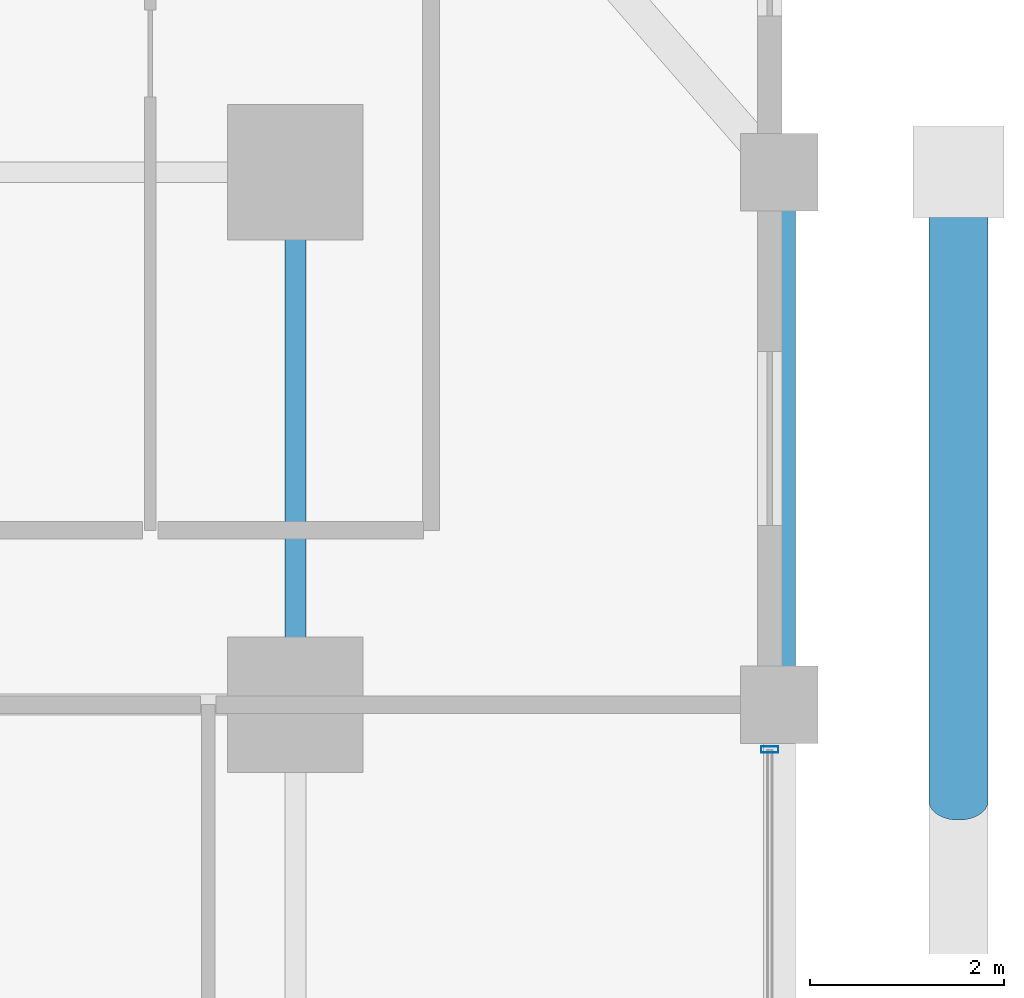
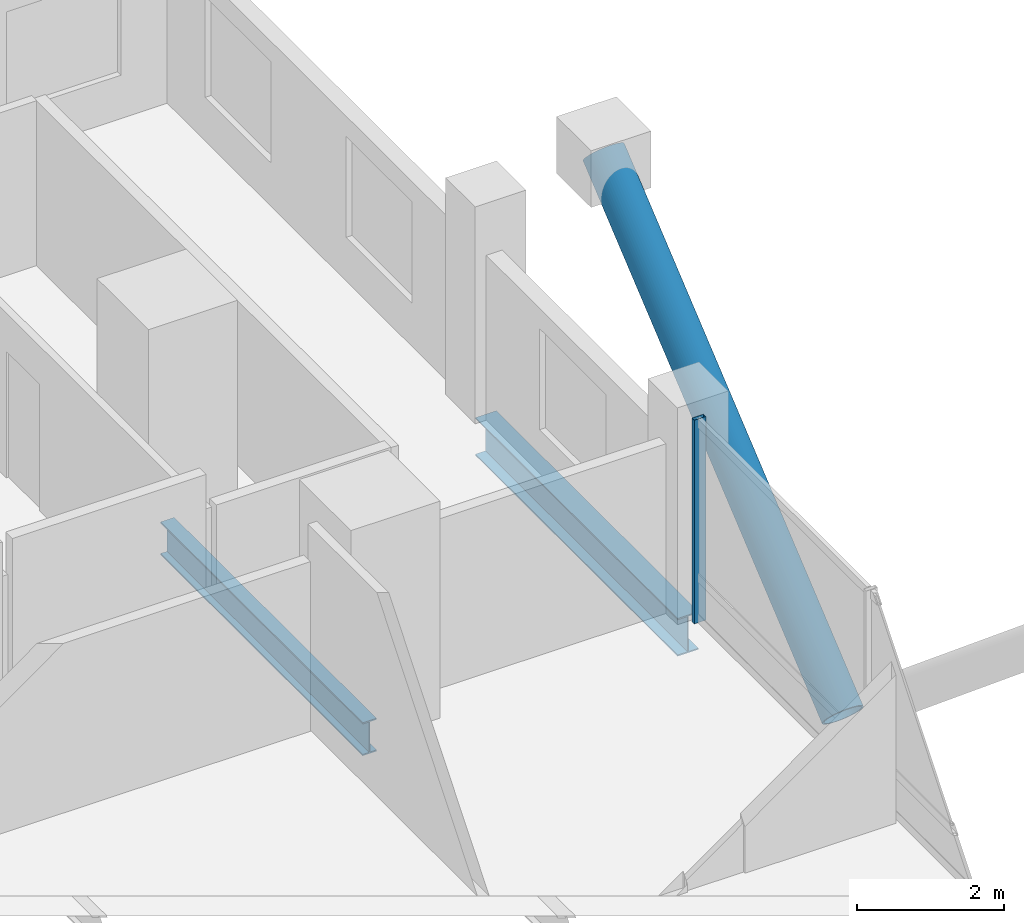
# One storey, part 15 of 24: 2 beams, 2 members, 1 element without a shape of its own.
"""IFC4 building model written with IfcOpenShell, lengths in metres."""

from ifc_helpers import new_model, si_unit, direction, frame, origin, origin_2d, place, context, subcontext, project, spatial, hollow_rectangle, hollow_circle, i_section, extrude, material, layer, layer_set, material_profile, profile_set, type_object, element, aggregate, save


model = new_model("IFC4")

# Units and contexts
model_context = context("Model", 3, precision=1e-05, world=origin(), true_north=direction((0.0, 1.0)))
body_context = subcontext(model_context, "Body", "Model", "MODEL_VIEW")
ifc_project = project(units=[si_unit("LENGTHUNIT", "METRE"), si_unit("AREAUNIT", "SQUARE_METRE"), si_unit("VOLUMEUNIT", "CUBIC_METRE"), si_unit("PLANEANGLEUNIT", "RADIAN"), si_unit("MASSUNIT", "GRAM", prefix="KILO")], contexts=[model_context])

# Site, building, storey
site_placement = place(None, origin())
site = spatial("IfcSite", under=ifc_project, at=site_placement, CompositionType="ELEMENT")
building_placement = place(site_placement, origin())
building = spatial("IfcBuilding", under=site, at=building_placement, Name="Barlavira Tower and Art Museum", CompositionType="ELEMENT")
storey_placement = place(building_placement, frame((0.0, 0.0, 46.800048828125)))
storey = spatial("IfcBuildingStorey", under=building, at=storey_placement, Name="L10", CompositionType="ELEMENT", Elevation=46.800048828125)

# Curtain wall, member
ifc_material_1 = material(Name="Low-iron coastal laminated glass", Category="glass")
ifc_layer = layer(ifc_material_1, 0.179931640625, Name="Low-iron coastal laminated glass")
ifc_layer_set = layer_set([ifc_layer], Name="Low-iron coastal laminated glass")
curtain_wall_type = type_object("IfcCurtainWallType", Name="Pale-Metal Unitised Curtain Wall Zone 1", PredefinedType="NOTDEFINED", material=ifc_layer_set)
curtain_wall_placement = place(storey_placement, origin())
curtain_wall = element("IfcCurtainWall", 1, at=curtain_wall_placement, inside=storey, type_object=curtain_wall_type, Name="L10 Curtain Wall CW1-L10-E-B3", PredefinedType="NOTDEFINED")
ifc_material_2 = material(Name="Pale anodised aluminium", Category="aluminium")
ifc_material_profile_1 = material_profile(ifc_material_2, hollow_rectangle(XDim=0.06494140625, YDim=0.179931640625, WallThickness=0.00390625, at=origin_2d()), Name="ALU-MULL 65x180x4")
ifc_profile_set_1 = profile_set([ifc_material_profile_1], Name="Pale anodised aluminium")
member_type_1 = type_object("IfcMemberType", Name="Curtain Wall Pale-Metal Mullion 65x180", PredefinedType="MULLION", material=ifc_profile_set_1)
member_1_placement = place(storey_placement, frame((21.89990234375, 7.034912109375, 0.0), z_axis=(0.0, 0.0, 1.0), x_axis=(0.0, 1.0, 0.0)))
member_1 = element("IfcMember", 2, at=member_1_placement, type_object=member_type_1, Name="CW1-L10-E-B3 Mullion 3", PredefinedType="MULLION", context=body_context, shape_type="SweptSolid", body=[
    extrude(hollow_rectangle(XDim=0.06494140625, YDim=0.179931640625, WallThickness=0.00390625, at=origin_2d()), origin(), (0.0, 0.0, 1.0), 3.3798828125),
])
aggregate(curtain_wall, [member_1])

# Member
ifc_material_3 = material(Name="Steel S355", Category="steel")
ifc_material_profile_2 = material_profile(ifc_material_3, hollow_circle(Radius=0.304931640625, WallThickness=0.028076171875, at=origin_2d()), Name="CHS 610.0x28.0")
ifc_profile_set_2 = profile_set([ifc_material_profile_2], Name="Steel S355")
member_type_2 = type_object("IfcMemberType", Name="Pale-Metal Exoskeleton Diagrid Tube CHS 610x28 Steel S355", PredefinedType="BRACE", material=ifc_profile_set_2)
member_2_placement = place(storey_placement, frame((23.85009765625, 6.5, -1.920166015625), z_axis=(0.0, 0.76918185268, 0.639029950399), x_axis=(-1.0, 0.0, 0.0)))
element("IfcMember", 3, at=member_2_placement, inside=storey, type_object=member_type_2, Name="L10 Exoskeleton Diagrid Tube E", PredefinedType="BRACE", context=body_context, shape_type="SweptSolid", body=[
    extrude(hollow_circle(Radius=0.304931640625, WallThickness=0.028076171875, at=origin_2d()), origin(), (0.0, 0.0, 1.0), 8.450439453125),
])

# Beams
ifc_material_profile_3 = material_profile(ifc_material_3, i_section(OverallWidth=0.327880859375, OverallDepth=0.62890625, WebThickness=0.013916015625, FlangeThickness=0.021484375, at=origin_2d()), Name="W610x174.0")
ifc_profile_set_3 = profile_set([ifc_material_profile_3], Name="Steel S355")
beam_type_1 = type_object("IfcBeamType", Name="Perimeter Spandrel Edge Beam W610x174 Steel S355", PredefinedType="SPANDREL", material=ifc_profile_set_3)
beam_1_placement = place(storey_placement, frame((22.0, 7.5, -0.53466796875), z_axis=(0.0, 1.0, 0.0), x_axis=(-1.0, 0.0, 0.0)))
element("IfcBeam", 4, at=beam_1_placement, inside=storey, type_object=beam_type_1, Name="L10 Spandrel 7", PredefinedType="SPANDREL", context=body_context, shape_type="SweptSolid", body=[
    extrude(i_section(OverallWidth=0.327880859375, OverallDepth=0.62890625, WebThickness=0.013916015625, FlangeThickness=0.021484375, at=origin_2d()), origin(), (0.0, 0.0, 1.0), 5.5),
])
ifc_material_profile_4 = material_profile(ifc_material_3, i_section(OverallWidth=0.214111328125, OverallDepth=0.549072265625, WebThickness=0.0146484375, FlangeThickness=0.023681640625, at=origin_2d()), Name="W530x138.0")
ifc_profile_set_4 = profile_set([ifc_material_profile_4], Name="Steel S355")
beam_type_2 = type_object("IfcBeamType", Name="Zone 1 Primary Floor Girder W530x138 Steel S355", PredefinedType="BEAM", material=ifc_profile_set_4)
beam_2_placement = place(storey_placement, frame((17.0, 7.5, -0.49462890625), z_axis=(0.0, 1.0, 0.0), x_axis=(-1.0, 0.0, 0.0)))
element("IfcBeam", 5, at=beam_2_placement, inside=storey, type_object=beam_type_2, Name="L10 Girder M-E3", PredefinedType="BEAM", context=body_context, shape_type="SweptSolid", body=[
    extrude(i_section(OverallWidth=0.214111328125, OverallDepth=0.549072265625, WebThickness=0.0146484375, FlangeThickness=0.023681640625, at=origin_2d()), origin(), (0.0, 0.0, 1.0), 5.5),
])

save(model, "model.ifc")
